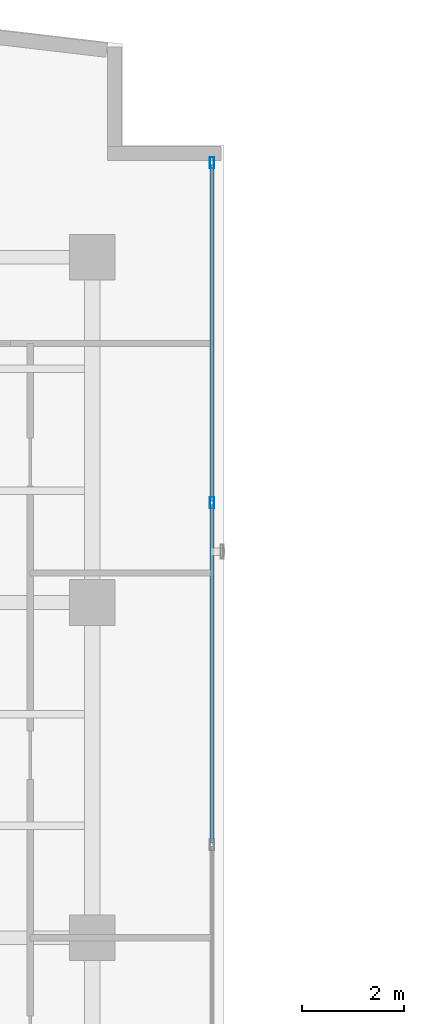
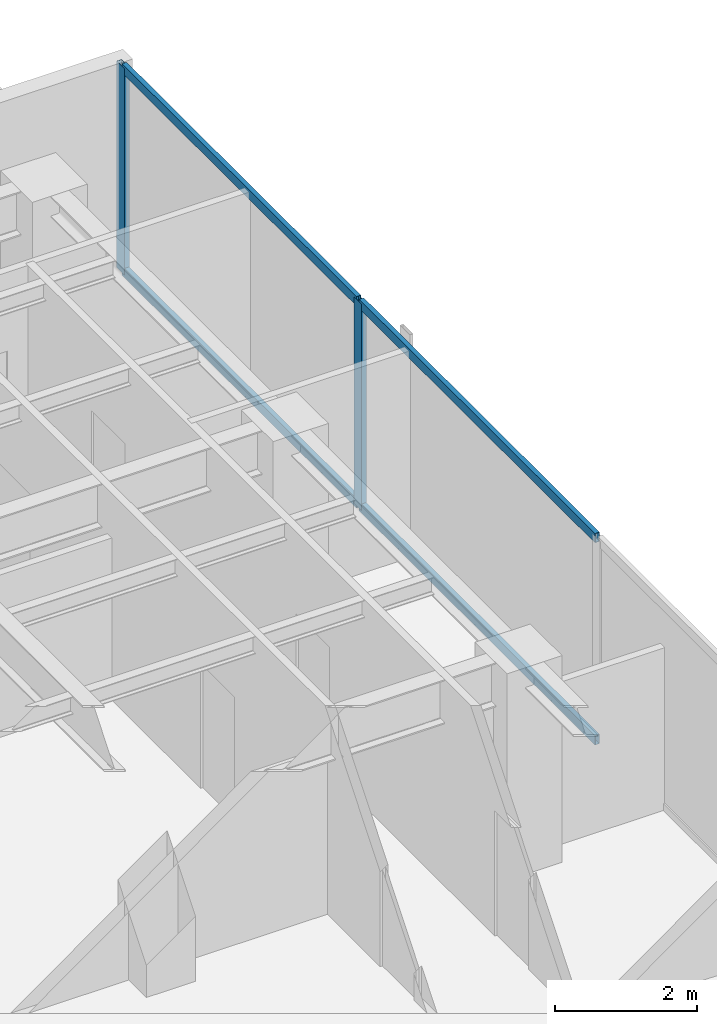
# One storey, part 15 of 22: 6 members, 1 element without a shape of its own.
"""IFC4 building model written with IfcOpenShell, lengths in metres."""

from ifc_helpers import new_model, si_unit, direction, frame, origin, origin_with_axes, origin_2d, place, context, subcontext, project, spatial, hollow_rectangle, extrude, source, transform, mapped, material, layer, layer_set, material_profile, profile_set, type_object, element, aggregate, save


model = new_model("IFC4")

# Units and contexts
model_context = context("Model", 3, precision=1e-05, world=origin(), true_north=direction((0.0, 1.0)))
body_context = subcontext(model_context, "Body", "Model", "MODEL_VIEW")
ifc_project = project(units=[si_unit("LENGTHUNIT", "METRE"), si_unit("AREAUNIT", "SQUARE_METRE"), si_unit("VOLUMEUNIT", "CUBIC_METRE"), si_unit("PLANEANGLEUNIT", "RADIAN"), si_unit("MASSUNIT", "GRAM", prefix="KILO")], contexts=[model_context])

# Site, building, storey
site_placement = place(None, origin())
site = spatial("IfcSite", under=ifc_project, at=site_placement, CompositionType="ELEMENT")
building_placement = place(site_placement, origin())
building = spatial("IfcBuilding", under=site, at=building_placement, Name="Kolvaren Waterfront Exchange", CompositionType="ELEMENT")
storey_placement = place(building_placement, frame((0.0, 0.0, 262.800048828125)))
storey = spatial("IfcBuildingStorey", under=building, at=storey_placement, Name="L67", CompositionType="ELEMENT", Elevation=262.800048828125)

# Curtain wall, members
ifc_material_1 = material(Name="Anodised bronze aluminium 6063-T6", Category="aluminium")
ifc_layer = layer(ifc_material_1, 0.219970703125, Name="Anodised bronze aluminium 6063-T6")
ifc_layer_set = layer_set([ifc_layer], Name="Anodised bronze aluminium 6063-T6")
curtain_wall_type = type_object("IfcCurtainWallType", Name="ARC-CW-SYS1", PredefinedType="USERDEFINED", material=ifc_layer_set)
curtain_wall_placement = place(storey_placement, origin())
curtain_wall = element("IfcCurtainWall", 1, at=curtain_wall_placement, inside=storey, type_object=curtain_wall_type, Name="L67 stick curtain wall CW1 (CW-L67-NE)", ObjectType="STICK CURTAIN WALL", PredefinedType="USERDEFINED")
ifc_material_2 = material(Name="Anodised aluminium 6063-T6", Category="aluminium")
ifc_material_profile_1 = material_profile(ifc_material_2, hollow_rectangle(XDim=0.080078125, YDim=0.219970703125, WallThickness=0.0048828125, at=origin_2d()), Name="ALU-MUL-220x80x5")
ifc_profile_set_1 = profile_set([ifc_material_profile_1], Name="Anodised aluminium 6063-T6")
member_type_1 = type_object("IfcMemberType", Name="ARC-CWM-220", PredefinedType="MULLION", material=ifc_profile_set_1)
shared_shape_1 = source(origin_with_axes(), body_context, "Body", "SweptSolid", [
    extrude(hollow_rectangle(XDim=0.080078125, YDim=0.219970703125, WallThickness=0.0048828125, at=origin_2d()), origin(), (0.0, 0.0, 1.0), 3.56005859375),
])
member_1_placement = place(storey_placement, frame((21.159912109375, 39.763427734375, 0.0), z_axis=(0.0, 0.0, 1.0), x_axis=(-1.0, 0.0, 0.0)))
member_1 = element("IfcMember", 2, at=member_1_placement, type_object=member_type_1, Name="CW1 mullion 3", PredefinedType="MULLION", context=body_context, shape_type="MappedRepresentation", body=[
    mapped(shared_shape_1, transform((0.0, 0.0, 0.0), x_axis=(1.0, 0.0, 0.0), y_axis=(0.0, 1.0, 0.0), z_axis=(0.0, 0.0, 1.0), scale=1.0)),
])
member_2_placement = place(storey_placement, frame((21.159912109375, 46.4599609375, 0.0), z_axis=(0.0, 0.0, 1.0), x_axis=(-1.0, 0.0, 0.0)))
member_2 = element("IfcMember", 3, at=member_2_placement, type_object=member_type_1, Name="CW1 mullion 4", PredefinedType="MULLION", context=body_context, shape_type="MappedRepresentation", body=[
    mapped(shared_shape_1, transform((0.0, 0.0, 0.0), x_axis=(1.0, 0.0, 0.0), y_axis=(0.0, 1.0, 0.0), z_axis=(0.0, 0.0, 1.0), scale=1.0)),
])
ifc_material_profile_2 = material_profile(ifc_material_2, hollow_rectangle(XDim=0.074951171875, YDim=0.159912109375, WallThickness=0.00439453125, at=origin_2d()), Name="ALU-TRN-160x75x4.5")
ifc_profile_set_2 = profile_set([ifc_material_profile_2], Name="Anodised aluminium 6063-T6")
member_type_2 = type_object("IfcMemberType", Name="ARC-CWT-160", PredefinedType="USERDEFINED", material=ifc_profile_set_2)
shared_shape_2 = source(origin_with_axes(), body_context, "Body", "SweptSolid", [
    extrude(hollow_rectangle(XDim=0.074951171875, YDim=0.159912109375, WallThickness=0.00439453125, at=origin_2d()), origin(), (0.0, 0.0, 1.0), 6.65673828125),
])
member_3_placement = place(storey_placement, frame((21.159912109375, 33.066650390625, 0.037353515625), z_axis=(0.0, 1.0, 0.0), x_axis=(-1.0, 0.0, 0.0)))
member_3 = element("IfcMember", 4, at=member_3_placement, type_object=member_type_2, Name="CW1 transom 2.1", ObjectType="TRANSOM", PredefinedType="USERDEFINED", context=body_context, shape_type="MappedRepresentation", body=[
    mapped(shared_shape_2, transform((0.0, 0.0, 0.0), x_axis=(1.0, 0.0, 0.0), y_axis=(0.0, 1.0, 0.0), z_axis=(0.0, 0.0, 1.0), scale=1.0)),
])
member_4_placement = place(storey_placement, frame((21.159912109375, 33.066650390625, 3.5224609375), z_axis=(0.0, 1.0, 0.0), x_axis=(-1.0, 0.0, 0.0)))
member_4 = element("IfcMember", 5, at=member_4_placement, type_object=member_type_2, Name="CW1 transom 2.2", ObjectType="TRANSOM", PredefinedType="USERDEFINED", context=body_context, shape_type="MappedRepresentation", body=[
    mapped(shared_shape_2, transform((0.0, 0.0, 0.0), x_axis=(1.0, 0.0, 0.0), y_axis=(0.0, 1.0, 0.0), z_axis=(0.0, 0.0, 1.0), scale=1.0)),
])
shared_shape_3 = source(origin_with_axes(), body_context, "Body", "SweptSolid", [
    extrude(hollow_rectangle(XDim=0.074951171875, YDim=0.159912109375, WallThickness=0.00439453125, at=origin_2d()), origin(), (0.0, 0.0, 1.0), 6.61669921875),
])
member_5_placement = place(storey_placement, frame((21.159912109375, 39.80322265625, 0.037353515625), z_axis=(0.0, 1.0, 0.0), x_axis=(-1.0, 0.0, 0.0)))
member_5 = element("IfcMember", 6, at=member_5_placement, type_object=member_type_2, Name="CW1 transom 3.1", ObjectType="TRANSOM", PredefinedType="USERDEFINED", context=body_context, shape_type="MappedRepresentation", body=[
    mapped(shared_shape_3, transform((0.0, 0.0, 0.0), x_axis=(1.0, 0.0, 0.0), y_axis=(0.0, 1.0, 0.0), z_axis=(0.0, 0.0, 1.0), scale=1.0)),
])
member_6_placement = place(storey_placement, frame((21.159912109375, 39.80322265625, 3.5224609375), z_axis=(0.0, 1.0, 0.0), x_axis=(-1.0, 0.0, 0.0)))
member_6 = element("IfcMember", 7, at=member_6_placement, type_object=member_type_2, Name="CW1 transom 3.2", ObjectType="TRANSOM", PredefinedType="USERDEFINED", context=body_context, shape_type="MappedRepresentation", body=[
    mapped(shared_shape_3, transform((0.0, 0.0, 0.0), x_axis=(1.0, 0.0, 0.0), y_axis=(0.0, 1.0, 0.0), z_axis=(0.0, 0.0, 1.0), scale=1.0)),
])
aggregate(curtain_wall, [member_1, member_2, member_3, member_4, member_5, member_6])

save(model, "model.ifc")
